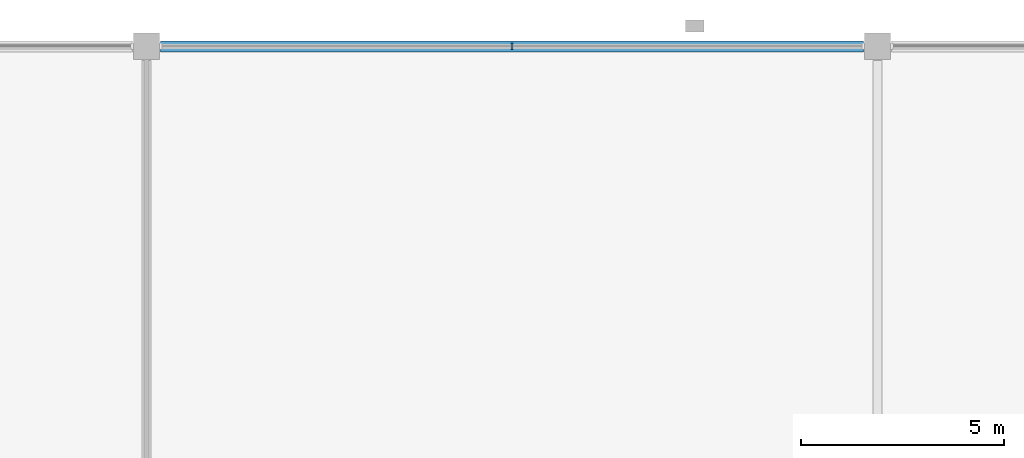
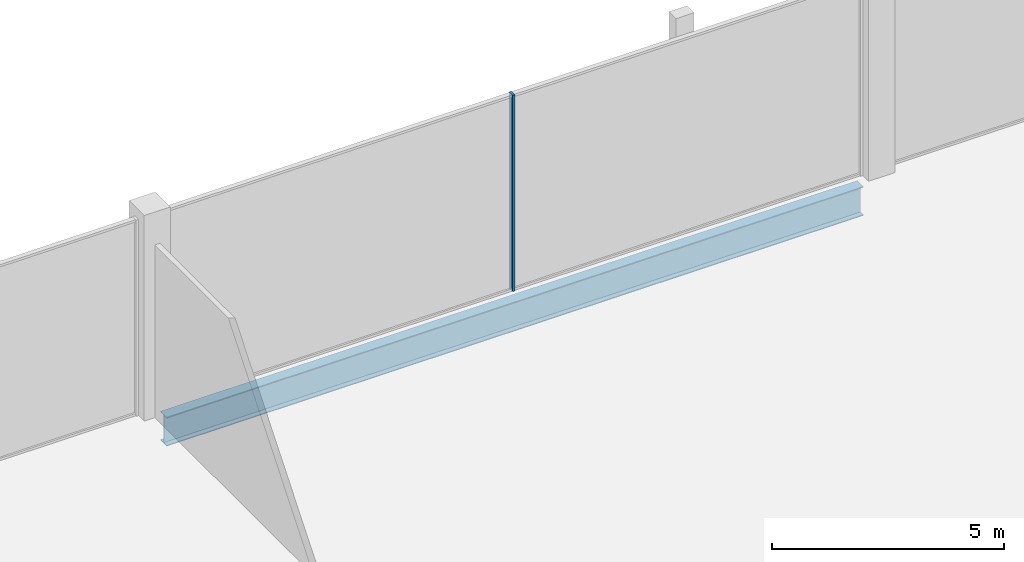
# One storey, part 44 of 113: 1 beam, 1 member, 1 element without a shape of its own.
"""IFC4 building model written with IfcOpenShell, lengths in metres."""

from ifc_helpers import new_model, si_unit, direction, frame, origin, origin_2d, place, context, subcontext, project, spatial, rectangle, i_section, extrude, material, layer, layer_set, material_profile, profile_set, type_object, element, aggregate, save


model = new_model("IFC4")

# Units and contexts
model_context = context("Model", 3, precision=1e-05, world=origin(), true_north=direction((0.0, 1.0)))
body_context = subcontext(model_context, "Body", "Model", "MODEL_VIEW")
ifc_project = project(units=[si_unit("LENGTHUNIT", "METRE"), si_unit("AREAUNIT", "SQUARE_METRE"), si_unit("VOLUMEUNIT", "CUBIC_METRE"), si_unit("PLANEANGLEUNIT", "RADIAN"), si_unit("MASSUNIT", "GRAM", prefix="KILO")], contexts=[model_context])

# Site, building, storey
site_placement = place(None, origin())
site = spatial("IfcSite", under=ifc_project, at=site_placement, CompositionType="ELEMENT")
building_placement = place(site_placement, origin())
building = spatial("IfcBuilding", under=site, at=building_placement, Name="Kisiwana Market Hall", CompositionType="ELEMENT")
storey_placement = place(building_placement, frame((0.0, 0.0, 6.0)))
storey = spatial("IfcBuildingStorey", under=building, at=storey_placement, Name="L01", CompositionType="ELEMENT", Elevation=6.0)

# Beam
ifc_material_1 = material(Name="Steel S355", Category="steel")
ifc_material_profile_1 = material_profile(ifc_material_1, i_section(OverallWidth=0.2666015625, OverallDepth=0.76220703125, WebThickness=0.014404296875, FlangeThickness=0.021484375, at=origin_2d()), Name="UB 762x267x173")
ifc_profile_set_1 = profile_set([ifc_material_profile_1], Name="Steel S355")
beam_type = type_object("IfcBeamType", Name="BM-GIRD-UB762", PredefinedType="BEAM", material=ifc_profile_set_1)
beam_placement = place(storey_placement, frame((117.345947265625, 120.0, -0.631103515625), z_axis=(1.0, 0.0, 0.0), x_axis=(0.0, 1.0, 0.0)))
element("IfcBeam", 1, at=beam_placement, inside=storey, type_object=beam_type, Name="Floor beam B-0549", PredefinedType="BEAM", context=body_context, shape_type="SweptSolid", body=[
    extrude(i_section(OverallWidth=0.2666015625, OverallDepth=0.76220703125, WebThickness=0.014404296875, FlangeThickness=0.021484375, at=origin_2d()), origin(), (0.0, 0.0, 1.0), 17.30810546875),
])

# Curtain wall, member
ifc_material_2 = material(Name="Double-glazed solar-control low-E IGU", Category="glass")
ifc_layer = layer(ifc_material_2, 0.159912109375)
ifc_layer_set = layer_set([ifc_layer], Name="CW-FC-N-8100")
curtain_wall_type = type_object("IfcCurtainWallType", Name="CW-FC-N-8100", PredefinedType="USERDEFINED", material=ifc_layer_set)
curtain_wall_placement = place(storey_placement, origin())
curtain_wall = element("IfcCurtainWall", 2, at=curtain_wall_placement, inside=storey, type_object=curtain_wall_type, Name="Unitised curtain wall CW-040 (L01)", ObjectType="UNITISED CURTAIN WALL", PredefinedType="USERDEFINED")
ifc_material_3 = material(Name="Aluminium alloy 6063-T6", Category="aluminium")
ifc_material_profile_2 = material_profile(ifc_material_3, rectangle(XDim=0.06005859375, YDim=0.159912109375, at=origin_2d()), Name="ALU MULLION 60x160")
ifc_profile_set_2 = profile_set([ifc_material_profile_2], Name="Aluminium alloy 6063-T6")
member_type = type_object("IfcMemberType", Name="CW-MULL-60x160", PredefinedType="MULLION", material=ifc_profile_set_2)
member_placement = place(storey_placement, frame((126.0, 120.0, 0.0), z_axis=(0.0, 0.0, 1.0), x_axis=(1.0, 0.0, 0.0)))
member = element("IfcMember", 3, at=member_placement, type_object=member_type, Name="CW-040 mullion 2", PredefinedType="MULLION", context=body_context, shape_type="SweptSolid", body=[
    extrude(rectangle(XDim=0.06005859375, YDim=0.159912109375, at=origin_2d()), origin(), (0.0, 0.0, 1.0), 5.14990234375),
])
aggregate(curtain_wall, [member])

save(model, "model.ifc")
